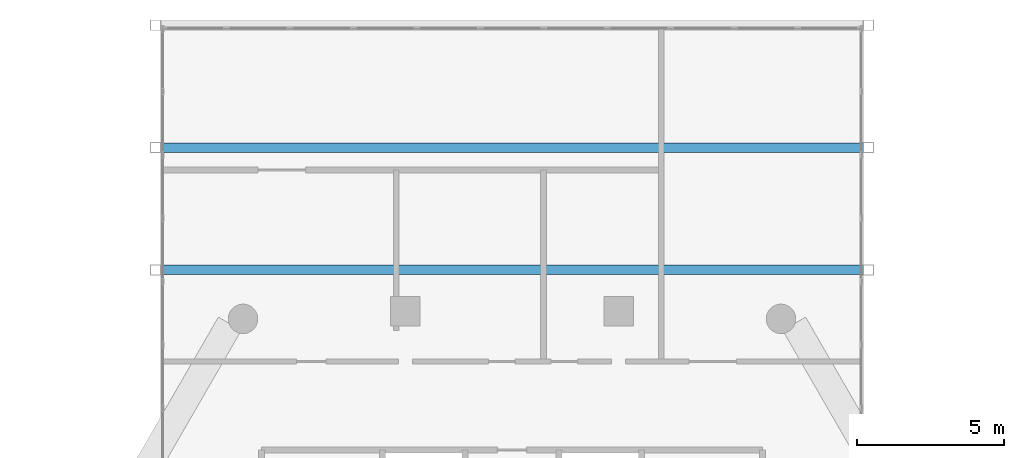
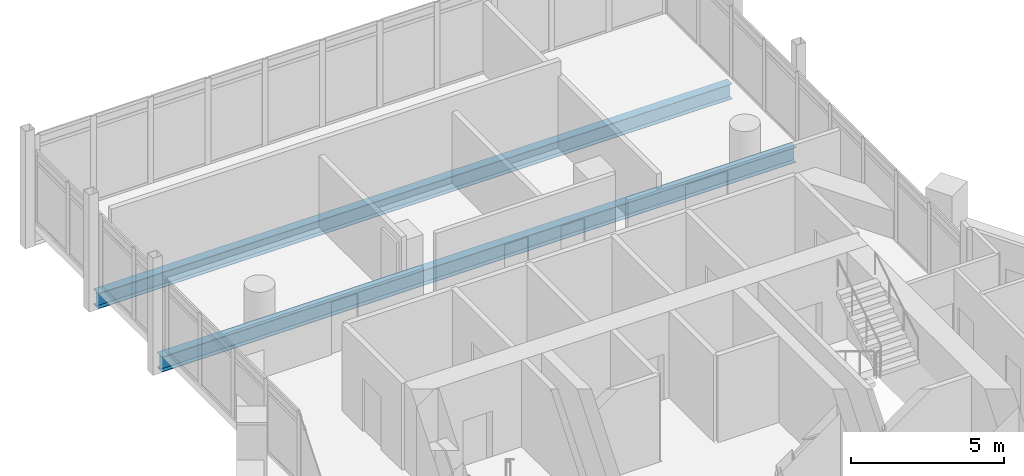
# One storey, part 16 of 29: 2 beams.
"""IFC4 building model written with IfcOpenShell, lengths in metres."""

from ifc_helpers import new_model, si_unit, direction, frame, origin, origin_2d, place, context, subcontext, project, spatial, i_section, extrude, material, material_profile, profile_set, type_object, element, save


model = new_model("IFC4")

# Units and contexts
model_context = context("Model", 3, precision=1e-05, world=origin(), true_north=direction((0.0, 1.0)))
body_context = subcontext(model_context, "Body", "Model", "MODEL_VIEW")
ifc_project = project(units=[si_unit("LENGTHUNIT", "METRE"), si_unit("AREAUNIT", "SQUARE_METRE"), si_unit("VOLUMEUNIT", "CUBIC_METRE"), si_unit("PLANEANGLEUNIT", "RADIAN"), si_unit("MASSUNIT", "GRAM", prefix="KILO")], contexts=[model_context])

# Site, building, storey
site_placement = place(None, origin())
site = spatial("IfcSite", under=ifc_project, at=site_placement, CompositionType="ELEMENT")
building_placement = place(site_placement, origin())
building = spatial("IfcBuilding", under=site, at=building_placement, Name="Ostrander Bayou Hotel Tower", CompositionType="ELEMENT")
storey_placement = place(building_placement, frame((0.0, 0.0, 205.75)))
storey = spatial("IfcBuildingStorey", under=building, at=storey_placement, Name="L51", CompositionType="ELEMENT", Elevation=205.75)

# Beams
ifc_material = material(Name="Steel ASTM A992", Category="steel")
ifc_material_profile = material_profile(ifc_material, i_section(OverallWidth=0.32373046875, OverallDepth=0.611083984375, WebThickness=0.0126953125, FlangeThickness=0.01904296875, at=origin_2d()))
ifc_profile_set = profile_set([ifc_material_profile], Name="Steel ASTM A992")
beam_type = type_object("IfcBeamType", Name="TF2 bar floor beam W24x104", PredefinedType="BEAM", material=ifc_profile_set)
for number, where, z_axis, x_axis, name in (
    (1, (-11.93212890625, 23.861328125, -0.605712890625), (1.0, 0.0, 0.0), (0.0, 1.0, 0.0), "TF2 SB4W L4-2"),
    (2, (-11.93212890625, 19.706787109375, -0.605712890625), (1.0, 0.0, 0.0), (0.0, 1.0, 0.0), "TF2 SB4W L4-3"),
):
    element("IfcBeam", number, at=place(storey_placement, frame(where, z_axis=z_axis, x_axis=x_axis)), inside=storey, type_object=beam_type, Name=name, PredefinedType="BEAM", context=body_context, shape_type="SweptSolid", body=[
        extrude(i_section(OverallWidth=0.32373046875, OverallDepth=0.611083984375, WebThickness=0.0126953125, FlangeThickness=0.01904296875, at=origin_2d()), origin(), (0.0, 0.0, 1.0), 23.8642578125),
    ])

save(model, "model.ifc")
